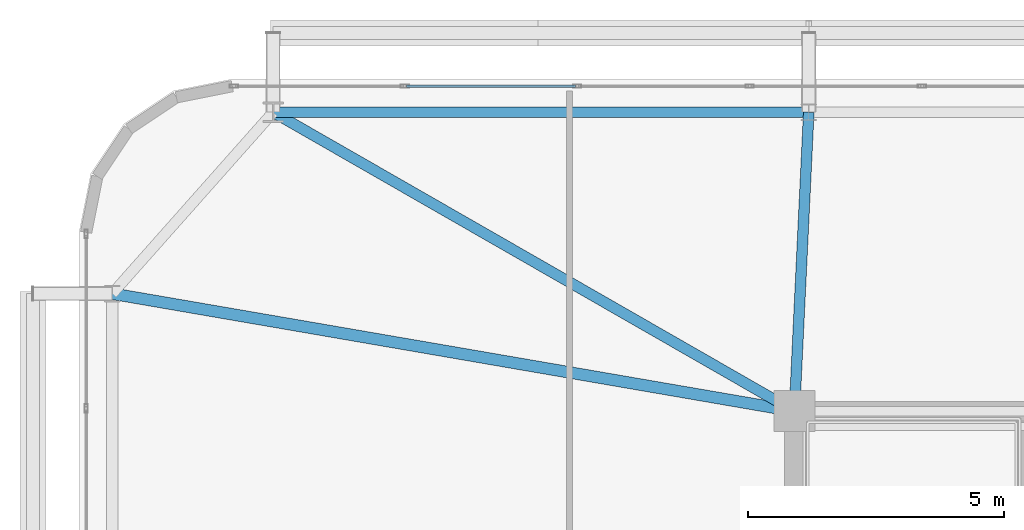
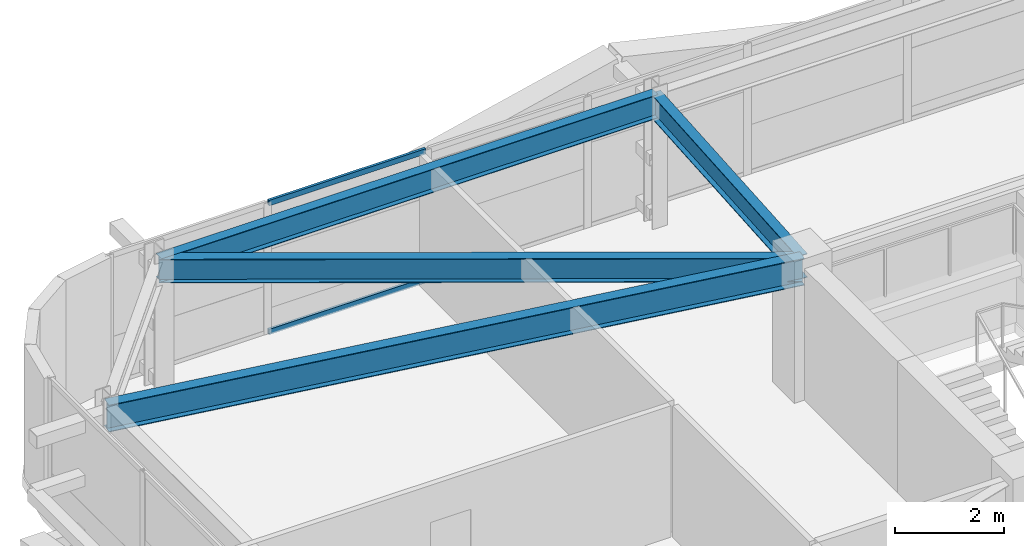
# One storey, part 34 of 59: 4 beams, 2 members, 1 element without a shape of its own.
"""IFC4 building model written with IfcOpenShell, lengths in metres."""

from ifc_helpers import new_model, si_unit, direction, frame, origin, origin_2d, place, context, subcontext, project, spatial, hollow_rectangle, i_section, extrude, source, transform, mapped, material, layer, layer_set, material_profile, profile_set, type_object, element, aggregate, save


model = new_model("IFC4")

# Units and contexts
model_context = context("Model", 3, precision=1e-05, world=origin(), true_north=direction((0.0, 1.0)))
body_context = subcontext(model_context, "Body", "Model", "MODEL_VIEW")
ifc_project = project(units=[si_unit("LENGTHUNIT", "METRE"), si_unit("AREAUNIT", "SQUARE_METRE"), si_unit("VOLUMEUNIT", "CUBIC_METRE"), si_unit("PLANEANGLEUNIT", "RADIAN"), si_unit("MASSUNIT", "GRAM", prefix="KILO")], contexts=[model_context])

# Site, building, storey
site_placement = place(None, origin())
site = spatial("IfcSite", under=ifc_project, at=site_placement, CompositionType="ELEMENT")
building_placement = place(site_placement, origin())
building = spatial("IfcBuilding", under=site, at=building_placement, Name="Taldren Reach Tower", CompositionType="ELEMENT")
storey_placement = place(building_placement, frame((0.0, 0.0, 48.300048828125)))
storey = spatial("IfcBuildingStorey", under=building, at=storey_placement, Name="L14", CompositionType="ELEMENT", Elevation=48.300048828125)

# Beams
ifc_material_1 = material(Name="Steel Gr 350 (350PLUS)", Category="steel")
ifc_material_profile_1 = material_profile(ifc_material_1, i_section(OverallWidth=0.208984375, OverallDepth=0.528076171875, WebThickness=0.009521484375, FlangeThickness=0.01318359375, at=origin_2d()), Name="530UB82.0")
ifc_profile_set_1 = profile_set([ifc_material_profile_1], Name="Steel Gr 350 (350PLUS)")
beam_type_1 = type_object("IfcBeamType", Name="SP-UB530B", PredefinedType="SPANDREL", material=ifc_profile_set_1)
shared_shape_1 = source(origin(), body_context, "Body", "SweptSolid", [
    extrude(i_section(OverallWidth=0.208984375, OverallDepth=0.528076171875, WebThickness=0.009521484375, FlangeThickness=0.01318359375, at=origin_2d()), origin(), (0.0, 0.0, 1.0), 10.47998046875),
])
beam_1_placement = place(storey_placement, frame((19.280029296875, 37.85009765625, 2.666015625), z_axis=(-1.0, 0.0, 0.0), x_axis=(0.0, -1.0, 0.0)))
element("IfcBeam", 1, at=beam_1_placement, inside=storey, type_object=beam_type_1, Name="Perimeter spandrel B1 N2-N1 L14", PredefinedType="SPANDREL", context=body_context, shape_type="MappedRepresentation", body=[
    mapped(shared_shape_1, transform((0.0, 0.0, 0.0), scale=1.0)),
])
ifc_material_profile_2 = material_profile(ifc_material_1, i_section(OverallWidth=0.22802734375, OverallDepth=0.60205078125, WebThickness=0.010498046875, FlangeThickness=0.014892578125, at=origin_2d()), Name="610UB101")
ifc_profile_set_2 = profile_set([ifc_material_profile_2], Name="Steel Gr 350 (350PLUS)")
beam_type_2 = type_object("IfcBeamType", Name="BM-UB610B", PredefinedType="BEAM", material=ifc_profile_set_2)
shared_shape_2 = source(origin(), body_context, "Body", "SweptSolid", [
    extrude(i_section(OverallWidth=0.22802734375, OverallDepth=0.60205078125, WebThickness=0.010498046875, FlangeThickness=0.014892578125, at=origin_2d()), origin(), (0.0, 0.0, 1.0), 13.546875),
])
beam_2_placement = place(storey_placement, frame((19.0, 32.0, 2.62890625), z_axis=(-0.985481022998, 0.169785609847, 0.0), x_axis=(-0.169785609847, -0.985481022998, 0.0)))
element("IfcBeam", 2, at=beam_2_placement, inside=storey, type_object=beam_type_2, Name="Primary floor girder B1-W3 L14", PredefinedType="BEAM", context=body_context, shape_type="MappedRepresentation", body=[
    mapped(shared_shape_2, transform((0.0, 0.0, 0.0), scale=1.0)),
])
ifc_material_profile_3 = material_profile(ifc_material_1, i_section(OverallWidth=0.208984375, OverallDepth=0.532958984375, WebThickness=0.01025390625, FlangeThickness=0.015625, at=origin_2d()), Name="530UB92.4")
ifc_profile_set_3 = profile_set([ifc_material_profile_3], Name="Steel Gr 350 (350PLUS)")
beam_type_3 = type_object("IfcBeamType", Name="BM-UB530A", PredefinedType="BEAM", material=ifc_profile_set_3)
shared_shape_3 = source(origin(), body_context, "Body", "SweptSolid", [
    extrude(i_section(OverallWidth=0.208984375, OverallDepth=0.532958984375, WebThickness=0.01025390625, FlangeThickness=0.015625, at=origin_2d()), origin(), (0.0, 0.0, 1.0), 11.758544921875),
])
beam_3_placement = place(storey_placement, frame((19.0, 32.0, 2.663330078125), z_axis=(-0.867452414141, 0.497520159593, 0.0), x_axis=(-0.497520159593, -0.867452414141, 0.0)))
element("IfcBeam", 3, at=beam_3_placement, inside=storey, type_object=beam_type_3, Name="Primary floor girder B1-N1 L14", PredefinedType="BEAM", context=body_context, shape_type="MappedRepresentation", body=[
    mapped(shared_shape_3, transform((0.0, 0.0, 0.0), scale=1.0)),
])
shared_shape_4 = source(origin(), body_context, "Body", "SweptSolid", [
    extrude(i_section(OverallWidth=0.208984375, OverallDepth=0.532958984375, WebThickness=0.01025390625, FlangeThickness=0.015625, at=origin_2d()), origin(), (0.0, 0.0, 1.0), 5.856689453125),
])
beam_4_placement = place(storey_placement, frame((19.0, 32.0, 2.663330078125), z_axis=(0.047812711672, 0.998856318297, 0.0), x_axis=(-0.998856318297, 0.047812711672, 0.0)))
element("IfcBeam", 4, at=beam_4_placement, inside=storey, type_object=beam_type_3, Name="Primary floor girder B1-N2 L14", PredefinedType="BEAM", context=body_context, shape_type="MappedRepresentation", body=[
    mapped(shared_shape_4, transform((0.0, 0.0, 0.0), scale=1.0)),
])

# Curtain wall, members
ifc_material_2 = material(Name="Aluminium and Low-E Glass Unitised System", Category="aluminium")
ifc_layer = layer(ifc_material_2, 0.159912109375)
ifc_layer_set = layer_set([ifc_layer], Name="Aluminium and Low-E Glass Unitised System")
curtain_wall_type = type_object("IfcCurtainWallType", Name="CW-SYS-2", PredefinedType="NOTDEFINED", material=ifc_layer_set)
curtain_wall_placement = place(storey_placement, origin())
curtain_wall = element("IfcCurtainWall", 5, at=curtain_wall_placement, inside=storey, type_object=curtain_wall_type, Name="Unitised curtain wall CW-L14-N", PredefinedType="NOTDEFINED")
ifc_material_3 = material(Name="Anodised Aluminium 6063-T6", Category="aluminium")
ifc_material_profile_4 = material_profile(ifc_material_3, hollow_rectangle(XDim=0.054931640625, YDim=0.1201171875, WallThickness=0.0029296875, at=origin_2d()), Name="ALU-120x55x3RHS")
ifc_profile_set_4 = profile_set([ifc_material_profile_4], Name="Anodised Aluminium 6063-T6")
member_type = type_object("IfcMemberType", Name="CW-TRN-135", PredefinedType="USERDEFINED", material=ifc_profile_set_4)
shared_shape_5 = source(origin(), body_context, "Body", "SweptSolid", [
    extrude(hollow_rectangle(XDim=0.054931640625, YDim=0.1201171875, WallThickness=0.0029296875, at=origin_2d()), origin(), (0.0, 0.0, 1.0), 3.31005859375),
])
member_1_placement = place(storey_placement, frame((14.717529296875, 38.360107421875, 0.02734375), z_axis=(-1.0, 0.0, 0.0), x_axis=(0.0, -1.0, 0.0)))
member_1 = element("IfcMember", 6, at=member_1_placement, type_object=member_type, Name="CW-2 transom 15.1", ObjectType="TRANSOM", PredefinedType="USERDEFINED", context=body_context, shape_type="MappedRepresentation", body=[
    mapped(shared_shape_5, transform((0.0, 0.0, 0.0), scale=1.0)),
])
member_2_placement = place(storey_placement, frame((14.717529296875, 38.360107421875, 2.90234375), z_axis=(-1.0, 0.0, 0.0), x_axis=(0.0, -1.0, 0.0)))
member_2 = element("IfcMember", 7, at=member_2_placement, type_object=member_type, Name="CW-2 transom 15.2", ObjectType="TRANSOM", PredefinedType="USERDEFINED", context=body_context, shape_type="MappedRepresentation", body=[
    mapped(shared_shape_5, transform((0.0, 0.0, 0.0), scale=1.0)),
])
aggregate(curtain_wall, [member_1, member_2])

save(model, "model.ifc")
